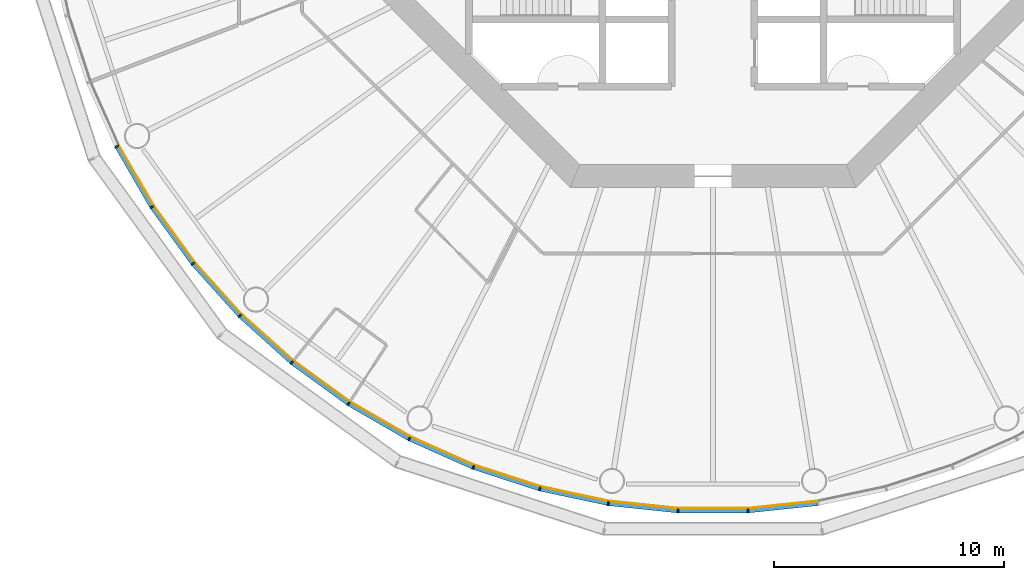
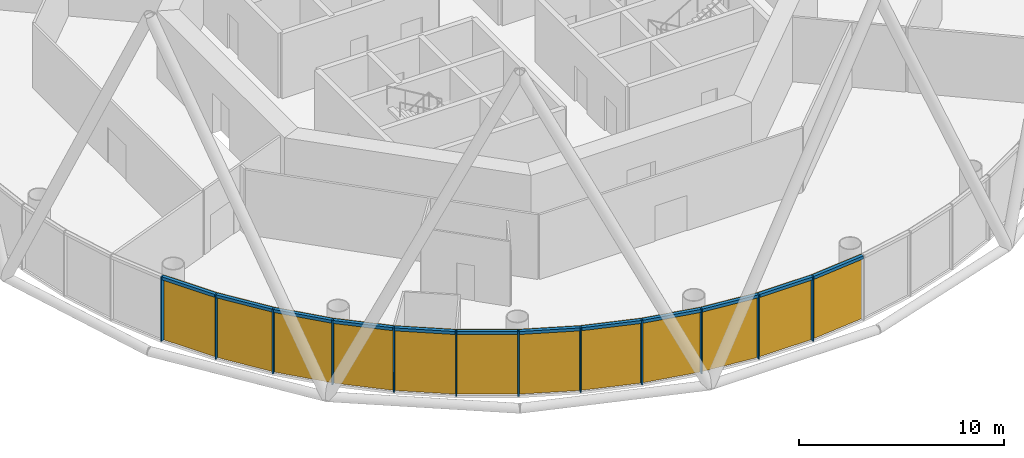
# One storey, part 6 of 12: 24 members, 4 curtain walls.
"""IFC4 building model written with IfcOpenShell, lengths in metres."""

from ifc_helpers import new_model, si_unit, direction, frame, origin, origin_2d, place, context, subcontext, project, spatial, polyline, rectangle, outline, extrude, material, layer, layer_set, material_profile, profile_set, type_object, element, aggregate, save


model = new_model("IFC4")

# Units and contexts
model_context = context("Model", 3, precision=1e-05, world=origin(), true_north=direction((0.0, 1.0)))
body_context = subcontext(model_context, "Body", "Model", "MODEL_VIEW")
ifc_project = project(units=[si_unit("LENGTHUNIT", "METRE"), si_unit("AREAUNIT", "SQUARE_METRE"), si_unit("VOLUMEUNIT", "CUBIC_METRE"), si_unit("PLANEANGLEUNIT", "RADIAN"), si_unit("MASSUNIT", "GRAM", prefix="KILO")], contexts=[model_context])

# Member
ifc_material_1 = material(Name="Anodised aluminium", Category="aluminium")
ifc_material_profile_1 = material_profile(ifc_material_1, rectangle(XDim=0.06494140625, YDim=0.18505859375, at=origin_2d()), Name="Mullion 65 x 185 mm anodised aluminium")
ifc_profile_set_1 = profile_set([ifc_material_profile_1], Name="Anodised aluminium")
member_type_1 = type_object("IfcMemberType", Name="Mullion 65 x 185 mm anodised aluminium", PredefinedType="MULLION", material=ifc_profile_set_1)
site_placement = place(None, origin())
building_placement = place(site_placement, origin())
storey_placement = place(building_placement, frame((0.0, 0.0, 144.0)))
member_1_placement = place(storey_placement, frame((64.078369140625, 66.792236328125, 0.0), z_axis=(0.0, 0.0, 1.0), x_axis=(0.45399049974, -0.891006524188, 0.0)))
member_1 = element("IfcMember", 1, at=member_1_placement, type_object=member_type_1, Name="MULLION L32-33", PredefinedType="MULLION", context=body_context, shape_type="SweptSolid", body=[
    extrude(rectangle(XDim=0.06494140625, YDim=0.18505859375, at=origin_2d()), origin(), (0.0, 0.0, 1.0), 3.85009765625),
])

member_2_placement = place(storey_placement, frame((65.60107421875, 64.155029296875, 0.0), z_axis=(0.0, 0.0, 1.0), x_axis=(0.544639035015, -0.838670567945, 0.0)))
member_2 = element("IfcMember", 2, at=member_2_placement, type_object=member_type_1, Name="MULLION L32-34", PredefinedType="MULLION", context=body_context, shape_type="SweptSolid", body=[
    extrude(rectangle(XDim=0.06494140625, YDim=0.18505859375, at=origin_2d()), origin(), (0.0, 0.0, 1.0), 3.85009765625),
])

member_3_placement = place(storey_placement, frame((67.390869140625, 61.69140625, 0.0), z_axis=(0.0, 0.0, 1.0), x_axis=(0.62932039105, -0.777145961457, 0.0)))
member_3 = element("IfcMember", 3, at=member_3_placement, type_object=member_type_1, Name="MULLION L32-35", PredefinedType="MULLION", context=body_context, shape_type="SweptSolid", body=[
    extrude(rectangle(XDim=0.06494140625, YDim=0.18505859375, at=origin_2d()), origin(), (0.0, 0.0, 1.0), 3.85009765625),
])

member_4_placement = place(storey_placement, frame((69.428466796875, 59.428466796875, 0.0), z_axis=(0.0, 0.0, 1.0), x_axis=(0.707106781187, -0.707106781187, 0.0)))
member_4 = element("IfcMember", 4, at=member_4_placement, type_object=member_type_1, Name="MULLION L32-36", PredefinedType="MULLION", context=body_context, shape_type="SweptSolid", body=[
    extrude(rectangle(XDim=0.06494140625, YDim=0.18505859375, at=origin_2d()), origin(), (0.0, 0.0, 1.0), 3.85009765625),
])

member_5_placement = place(storey_placement, frame((71.69140625, 57.390869140625, 0.0), z_axis=(0.0, 0.0, 1.0), x_axis=(0.777145961457, -0.62932039105, 0.0)))
member_5 = element("IfcMember", 5, at=member_5_placement, type_object=member_type_1, Name="MULLION L32-37", PredefinedType="MULLION", context=body_context, shape_type="SweptSolid", body=[
    extrude(rectangle(XDim=0.06494140625, YDim=0.18505859375, at=origin_2d()), origin(), (0.0, 0.0, 1.0), 3.85009765625),
])

member_6_placement = place(storey_placement, frame((74.155029296875, 55.60107421875, 0.0), z_axis=(0.0, 0.0, 1.0), x_axis=(0.838670567945, -0.544639035015, 0.0)))
member_6 = element("IfcMember", 6, at=member_6_placement, type_object=member_type_1, Name="MULLION L32-38", PredefinedType="MULLION", context=body_context, shape_type="SweptSolid", body=[
    extrude(rectangle(XDim=0.06494140625, YDim=0.18505859375, at=origin_2d()), origin(), (0.0, 0.0, 1.0), 3.85009765625),
])

member_7_placement = place(storey_placement, frame((76.792236328125, 54.078369140625, 0.0), z_axis=(0.0, 0.0, 1.0), x_axis=(0.891006524188, -0.45399049974, 0.0)))
member_7 = element("IfcMember", 7, at=member_7_placement, type_object=member_type_1, Name="MULLION L32-39", PredefinedType="MULLION", context=body_context, shape_type="SweptSolid", body=[
    extrude(rectangle(XDim=0.06494140625, YDim=0.18505859375, at=origin_2d()), origin(), (0.0, 0.0, 1.0), 3.85009765625),
])

member_8_placement = place(storey_placement, frame((79.57421875, 52.83984375, 0.0), z_axis=(0.0, 0.0, 1.0), x_axis=(0.933580426497, -0.358367949545, 0.0)))
member_8 = element("IfcMember", 8, at=member_8_placement, type_object=member_type_1, Name="MULLION L32-40", PredefinedType="MULLION", context=body_context, shape_type="SweptSolid", body=[
    extrude(rectangle(XDim=0.06494140625, YDim=0.18505859375, at=origin_2d()), origin(), (0.0, 0.0, 1.0), 3.85009765625),
])

member_9_placement = place(storey_placement, frame((82.47021484375, 51.898681640625, 0.0), z_axis=(0.0, 0.0, 1.0), x_axis=(0.965925826289, -0.258819045103, 0.0)))
member_9 = element("IfcMember", 9, at=member_9_placement, type_object=member_type_1, Name="MULLION L32-41", PredefinedType="MULLION", context=body_context, shape_type="SweptSolid", body=[
    extrude(rectangle(XDim=0.06494140625, YDim=0.18505859375, at=origin_2d()), origin(), (0.0, 0.0, 1.0), 3.85009765625),
])

member_10_placement = place(storey_placement, frame((85.448974609375, 51.265625, 0.0), z_axis=(0.0, 0.0, 1.0), x_axis=(0.987688340595, -0.15643446504, 0.0)))
member_10 = element("IfcMember", 10, at=member_10_placement, type_object=member_type_1, Name="MULLION L32-42", PredefinedType="MULLION", context=body_context, shape_type="SweptSolid", body=[
    extrude(rectangle(XDim=0.06494140625, YDim=0.18505859375, at=origin_2d()), origin(), (0.0, 0.0, 1.0), 3.85009765625),
])

member_11_placement = place(storey_placement, frame((88.477294921875, 50.947265625, 0.0), z_axis=(0.0, 0.0, 1.0), x_axis=(0.998629534755, -0.052335956243, 0.0)))
member_11 = element("IfcMember", 11, at=member_11_placement, type_object=member_type_1, Name="MULLION L32-43", PredefinedType="MULLION", context=body_context, shape_type="SweptSolid", body=[
    extrude(rectangle(XDim=0.06494140625, YDim=0.18505859375, at=origin_2d()), origin(), (0.0, 0.0, 1.0), 3.85009765625),
])

member_12_placement = place(storey_placement, frame((91.522705078125, 50.947265625, 0.0), z_axis=(0.0, 0.0, 1.0), x_axis=(0.998629534755, 0.052335956243, 0.0)))
member_12 = element("IfcMember", 12, at=member_12_placement, type_object=member_type_1, Name="MULLION L32-44", PredefinedType="MULLION", context=body_context, shape_type="SweptSolid", body=[
    extrude(rectangle(XDim=0.06494140625, YDim=0.18505859375, at=origin_2d()), origin(), (0.0, 0.0, 1.0), 3.85009765625),
])

ifc_material_2 = material(Name="Anodised aluminium", Category="aluminium")
ifc_material_profile_2 = material_profile(ifc_material_2, rectangle(XDim=0.18505859375, YDim=0.175048828125, at=origin_2d()), Name="Transom 175 x 185 mm anodised aluminium")
ifc_profile_set_2 = profile_set([ifc_material_profile_2], Name="Anodised aluminium")
member_type_2 = type_object("IfcMemberType", Name="Transom 175 x 185 mm anodised aluminium", PredefinedType="USERDEFINED", material=ifc_profile_set_2)
member_13_placement = place(storey_placement, frame((64.096923828125, 66.759765625, 3.762451171875), z_axis=(0.500028367561, -0.866009025146, 0.0), x_axis=(0.866009025146, 0.500028367561, 0.0)))
member_13 = element("IfcMember", 13, at=member_13_placement, type_object=member_type_2, Name="TRANSOM L32-33", ObjectType="TRANSOM", PredefinedType="USERDEFINED", context=body_context, shape_type="SweptSolid", body=[
    extrude(rectangle(XDim=0.18505859375, YDim=0.175048828125, at=origin_2d()), origin(), (0.0, 0.0, 1.0), 2.970458984375),
])

member_14_placement = place(storey_placement, frame((65.622802734375, 64.124755859375, 3.762451171875), z_axis=(0.587819781808, -0.808991906087, 0.0), x_axis=(0.808991906087, 0.587819781808, 0.0)))
member_14 = element("IfcMember", 14, at=member_14_placement, type_object=member_type_2, Name="TRANSOM L32-34", ObjectType="TRANSOM", PredefinedType="USERDEFINED", context=body_context, shape_type="SweptSolid", body=[
    extrude(rectangle(XDim=0.18505859375, YDim=0.175048828125, at=origin_2d()), origin(), (0.0, 0.0, 1.0), 2.970458984375),
])

member_15_placement = place(storey_placement, frame((67.415771484375, 61.66357421875, 3.762451171875), z_axis=(0.669110027395, -0.743163354343, 0.0), x_axis=(0.743163354343, 0.669110027395, 0.0)))
member_15 = element("IfcMember", 15, at=member_15_placement, type_object=member_type_2, Name="TRANSOM L32-35", ObjectType="TRANSOM", PredefinedType="USERDEFINED", context=body_context, shape_type="SweptSolid", body=[
    extrude(rectangle(XDim=0.18505859375, YDim=0.175048828125, at=origin_2d()), origin(), (0.0, 0.0, 1.0), 2.970458984375),
])

member_16_placement = place(storey_placement, frame((69.4560546875, 59.4033203125, 3.762451171875), z_axis=(0.743163354343, -0.669110027395, 0.0), x_axis=(0.669110027395, 0.743163354343, 0.0)))
member_16 = element("IfcMember", 16, at=member_16_placement, type_object=member_type_2, Name="TRANSOM L32-36", ObjectType="TRANSOM", PredefinedType="USERDEFINED", context=body_context, shape_type="SweptSolid", body=[
    extrude(rectangle(XDim=0.18505859375, YDim=0.175048828125, at=origin_2d()), origin(), (0.0, 0.0, 1.0), 2.970458984375),
])

member_17_placement = place(storey_placement, frame((71.7216796875, 57.368896484375, 3.762451171875), z_axis=(0.808991906087, -0.587819781808, 0.0), x_axis=(0.587819781808, 0.808991906087, 0.0)))
member_17 = element("IfcMember", 17, at=member_17_placement, type_object=member_type_2, Name="TRANSOM L32-37", ObjectType="TRANSOM", PredefinedType="USERDEFINED", context=body_context, shape_type="SweptSolid", body=[
    extrude(rectangle(XDim=0.18505859375, YDim=0.175048828125, at=origin_2d()), origin(), (0.0, 0.0, 1.0), 2.970458984375),
])

member_18_placement = place(storey_placement, frame((74.187255859375, 55.582275390625, 3.762451171875), z_axis=(0.866009025146, -0.500028367561, 0.0), x_axis=(0.500028367561, 0.866009025146, 0.0)))
member_18 = element("IfcMember", 18, at=member_18_placement, type_object=member_type_2, Name="TRANSOM L32-38", ObjectType="TRANSOM", PredefinedType="USERDEFINED", context=body_context, shape_type="SweptSolid", body=[
    extrude(rectangle(XDim=0.18505859375, YDim=0.175048828125, at=origin_2d()), origin(), (0.0, 0.0, 1.0), 2.970458984375),
])

member_19_placement = place(storey_placement, frame((76.826416015625, 54.06298828125, 3.762451171875), z_axis=(0.913567348806, -0.406687471156, 0.0), x_axis=(0.406687471156, 0.913567348806, 0.0)))
member_19 = element("IfcMember", 19, at=member_19_placement, type_object=member_type_2, Name="TRANSOM L32-39", ObjectType="TRANSOM", PredefinedType="USERDEFINED", context=body_context, shape_type="SweptSolid", body=[
    extrude(rectangle(XDim=0.18505859375, YDim=0.175048828125, at=origin_2d()), origin(), (0.0, 0.0, 1.0), 2.970458984375),
])

member_20_placement = place(storey_placement, frame((79.609619140625, 52.828125, 3.762451171875), z_axis=(0.951055809184, -0.30901917063, 0.0), x_axis=(0.30901917063, 0.951055809184, 0.0)))
member_20 = element("IfcMember", 20, at=member_20_placement, type_object=member_type_2, Name="TRANSOM L32-40", ObjectType="TRANSOM", PredefinedType="USERDEFINED", context=body_context, shape_type="SweptSolid", body=[
    extrude(rectangle(XDim=0.18505859375, YDim=0.175048828125, at=origin_2d()), origin(), (0.0, 0.0, 1.0), 2.970703125),
])

member_21_placement = place(storey_placement, frame((82.5068359375, 51.890869140625, 3.762451171875), z_axis=(0.97815822425, -0.207861704825, 0.0), x_axis=(0.207861704825, 0.97815822425, 0.0)))
member_21 = element("IfcMember", 21, at=member_21_placement, type_object=member_type_2, Name="TRANSOM L32-41", ObjectType="TRANSOM", PredefinedType="USERDEFINED", context=body_context, shape_type="SweptSolid", body=[
    extrude(rectangle(XDim=0.18505859375, YDim=0.175048828125, at=origin_2d()), origin(), (0.0, 0.0, 1.0), 2.970458984375),
])

member_22_placement = place(storey_placement, frame((85.486083984375, 51.26171875, 3.762451171875), z_axis=(0.994519855197, -0.104547872381, 0.0), x_axis=(0.104547872381, 0.994519855197, 0.0)))
member_22 = element("IfcMember", 22, at=member_22_placement, type_object=member_type_2, Name="TRANSOM L32-42", ObjectType="TRANSOM", PredefinedType="USERDEFINED", context=body_context, shape_type="SweptSolid", body=[
    extrude(rectangle(XDim=0.18505859375, YDim=0.175048828125, at=origin_2d()), origin(), (0.0, 0.0, 1.0), 2.970458984375),
])

member_23_placement = place(storey_placement, frame((88.5146484375, 50.947265625, 3.762451171875), z_axis=(1.0, 0.0, 0.0), x_axis=(0.0, 1.0, 0.0)))
member_23 = element("IfcMember", 23, at=member_23_placement, type_object=member_type_2, Name="TRANSOM L32-43", ObjectType="TRANSOM", PredefinedType="USERDEFINED", context=body_context, shape_type="SweptSolid", body=[
    extrude(rectangle(XDim=0.18505859375, YDim=0.175048828125, at=origin_2d()), origin(), (0.0, 0.0, 1.0), 2.970703125),
])

member_24_placement = place(storey_placement, frame((91.559814453125, 50.951171875, 3.762451171875), z_axis=(0.994519855197, 0.104547872381, 0.0), x_axis=(-0.104547872381, 0.994519855197, 0.0)))
member_24 = element("IfcMember", 24, at=member_24_placement, type_object=member_type_2, Name="TRANSOM L32-44", ObjectType="TRANSOM", PredefinedType="USERDEFINED", context=body_context, shape_type="SweptSolid", body=[
    extrude(rectangle(XDim=0.18505859375, YDim=0.175048828125, at=origin_2d()), origin(), (0.0, 0.0, 1.0), 2.970458984375),
])

# Site, building, storey
site = spatial("IfcSite", under=ifc_project, at=site_placement, CompositionType="ELEMENT")
building = spatial("IfcBuilding", under=site, at=building_placement, Name="Entoto Ring Tower", CompositionType="ELEMENT")
storey = spatial("IfcBuildingStorey", under=building, at=storey_placement, Name="L32", CompositionType="ELEMENT", Elevation=144.0)

# Curtain wall
ifc_material_3 = material(Name="Clear low-iron glass", Category="glass")
ifc_layer = layer(ifc_material_3, 0.033935546875)
ifc_layer_set = layer_set([ifc_layer], Name="Clear low-iron glass")
curtain_wall_type = type_object("IfcCurtainWallType", Name="Curtain wall system CW3 glazing 34 mm", PredefinedType="NOTDEFINED", material=ifc_layer_set)
curtain_wall_1_placement = place(storey_placement, origin())
curtain_wall_1 = element("IfcCurtainWall", 25, at=curtain_wall_1_placement, inside=storey, type_object=curtain_wall_type, Name="CW3 L32-12", PredefinedType="NOTDEFINED", context=body_context, shape_type="SweptSolid", body=[
    extrude(outline(polyline([(64.160888671875, 66.834228515625), (65.678466796875, 64.20556640625), (67.462646484375, 61.749755859375), (69.493896484375, 59.493896484375), (69.51806640625, 59.51806640625), (67.4892578125, 61.771240234375), (65.70703125, 64.22412109375), (64.191162109375, 66.849853515625), (64.160888671875, 66.834228515625)])), origin(), (0.0, 0.0, 1.0), 3.85009765625),
])

aggregate(curtain_wall_1, [member_1, member_2, member_3, member_13, member_14, member_15])

curtain_wall_2_placement = place(storey_placement, origin())
curtain_wall_2 = element("IfcCurtainWall", 26, at=curtain_wall_2_placement, inside=storey, type_object=curtain_wall_type, Name="CW3 L32-13", PredefinedType="NOTDEFINED", context=body_context, shape_type="SweptSolid", body=[
    extrude(outline(polyline([(69.493896484375, 59.493896484375), (71.749755859375, 57.462646484375), (74.20556640625, 55.678466796875), (76.834228515625, 54.160888671875), (76.849853515625, 54.191162109375), (74.22412109375, 55.70703125), (71.771240234375, 57.4892578125), (69.51806640625, 59.51806640625), (69.493896484375, 59.493896484375)])), origin(), (0.0, 0.0, 1.0), 3.85009765625),
])

aggregate(curtain_wall_2, [member_4, member_5, member_6, member_16, member_17, member_18])

curtain_wall_3_placement = place(storey_placement, origin())
curtain_wall_3 = element("IfcCurtainWall", 27, at=curtain_wall_3_placement, inside=storey, type_object=curtain_wall_type, Name="CW3 L32-14", PredefinedType="NOTDEFINED", context=body_context, shape_type="SweptSolid", body=[
    extrude(outline(polyline([(76.834228515625, 54.160888671875), (79.607421875, 52.92626953125), (82.494140625, 51.988037109375), (85.46337890625, 51.35693359375), (85.46875, 51.390625), (82.503173828125, 52.02099609375), (79.61962890625, 52.9580078125), (76.849853515625, 54.191162109375), (76.834228515625, 54.160888671875)])), origin(), (0.0, 0.0, 1.0), 3.85009765625),
])

aggregate(curtain_wall_3, [member_7, member_8, member_9, member_19, member_20, member_21])

curtain_wall_4_placement = place(storey_placement, origin())
curtain_wall_4 = element("IfcCurtainWall", 28, at=curtain_wall_4_placement, inside=storey, type_object=curtain_wall_type, Name="CW3 L32-15", PredefinedType="NOTDEFINED", context=body_context, shape_type="SweptSolid", body=[
    extrude(outline(polyline([(85.46337890625, 51.35693359375), (88.482177734375, 51.039794921875), (91.517822265625, 51.039794921875), (94.53662109375, 51.35693359375), (94.53125, 51.390625), (91.515869140625, 51.07373046875), (88.484130859375, 51.07373046875), (85.46875, 51.390625), (85.46337890625, 51.35693359375)])), origin(), (0.0, 0.0, 1.0), 3.85009765625),
])

aggregate(curtain_wall_4, [member_10, member_11, member_12, member_22, member_23, member_24])

save(model, "model.ifc")
